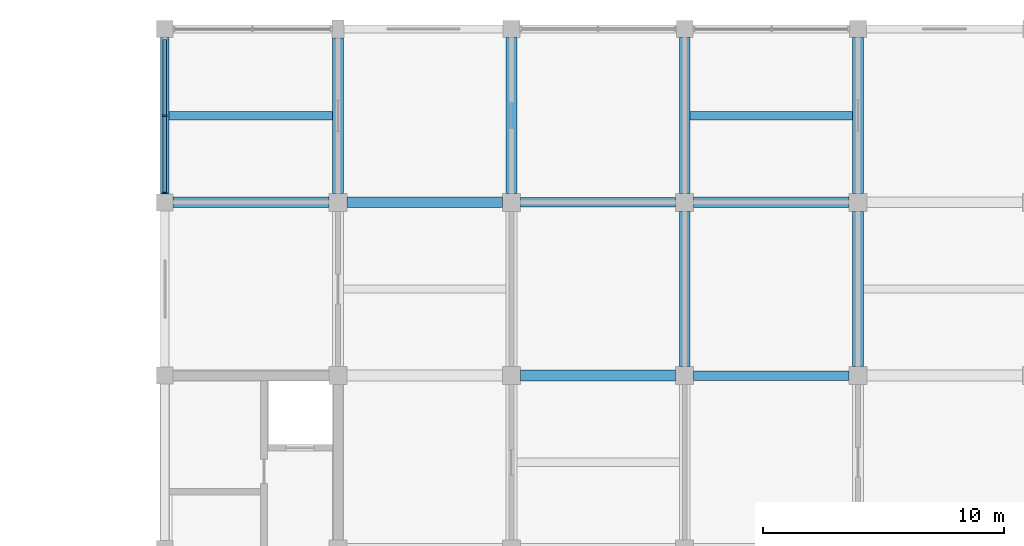
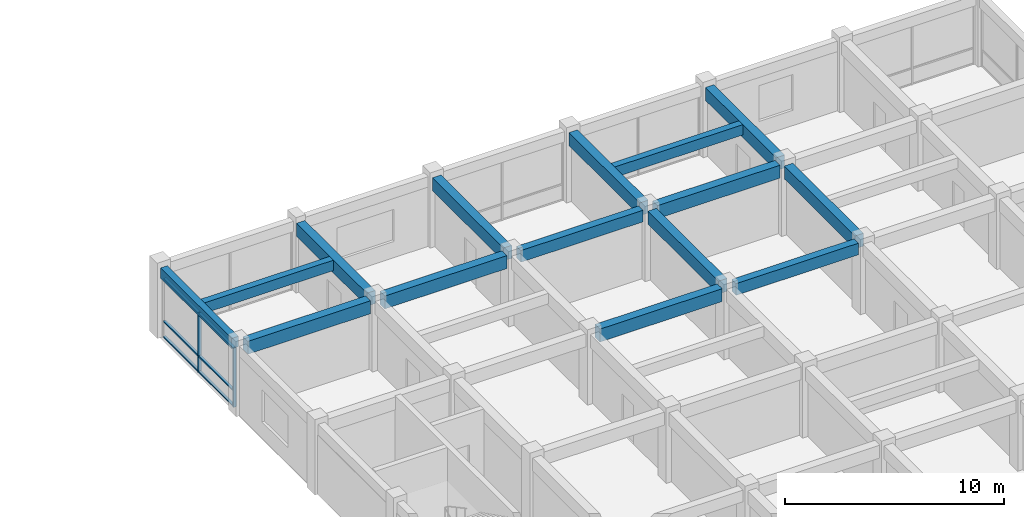
# One storey, part 10 of 31: 15 beams, 8 members, 1 element without a shape of its own.
"""IFC4 building model written with IfcOpenShell, lengths in metres."""

from ifc_helpers import new_model, si_unit, direction, frame, origin, origin_2d, place, context, subcontext, project, spatial, rectangle, extrude, material, layer, layer_set, material_profile, profile_set, type_object, element, aggregate, save


model = new_model("IFC4")

# Units and contexts
model_context = context("Model", 3, precision=1e-05, world=origin(), true_north=direction((0.0, 1.0)))
body_context = subcontext(model_context, "Body", "Model", "MODEL_VIEW")
ifc_project = project(units=[si_unit("LENGTHUNIT", "METRE"), si_unit("AREAUNIT", "SQUARE_METRE"), si_unit("VOLUMEUNIT", "CUBIC_METRE"), si_unit("PLANEANGLEUNIT", "RADIAN"), si_unit("MASSUNIT", "GRAM", prefix="KILO")], contexts=[model_context])

# Site, building, storey
site_placement = place(None, origin())
site = spatial("IfcSite", under=ifc_project, at=site_placement, CompositionType="ELEMENT")
building_placement = place(site_placement, origin())
building = spatial("IfcBuilding", under=site, at=building_placement, Name="Cendaluz Park School", CompositionType="ELEMENT")
storey_placement = place(building_placement, frame((0.0, 0.0, 14.39990234375)))
storey = spatial("IfcBuildingStorey", under=building, at=storey_placement, Name="L03", CompositionType="ELEMENT", Elevation=14.39990234375)

# Beams
ifc_material_1 = material(Name="Concrete C40/50", Category="concrete")
ifc_material_profile_1 = material_profile(ifc_material_1, rectangle(XDim=0.449951171875, YDim=0.719970703125, at=origin_2d()), Name="RC 450x720", Category="concrete")
ifc_profile_set_1 = profile_set([ifc_material_profile_1], Name="Concrete C40/50")
beam_type_1 = type_object("IfcBeamType", Name="BM-RC02", PredefinedType="BEAM", material=ifc_profile_set_1)
beam_1_placement = place(storey_placement, frame((65.14990234375, 64.800048828125, 3.530029296875), z_axis=(1.0, 0.0, 0.0), x_axis=(0.0, 1.0, 0.0)))
element("IfcBeam", 1, at=beam_1_placement, inside=storey, type_object=beam_type_1, Name="BM-L03-BMRC02-0034", PredefinedType="BEAM", context=body_context, shape_type="SweptSolid", body=[
    extrude(rectangle(XDim=0.449951171875, YDim=0.719970703125, at=origin_2d()), origin(), (0.0, 0.0, 1.0), 6.47509765625),
])
for number, where, z_axis, x_axis, name in (
    (2, (72.375, 64.800048828125, 3.530029296875), (1.0, 0.0, 0.0), (0.0, 1.0, 0.0), "BM-L03-BMRC02-0044"),
    (3, (79.574951171875, 57.60009765625, 3.530029296875), (1.0, 0.0, 0.0), (0.0, 1.0, 0.0), "BM-L03-BMRC02-0053"),
):
    element("IfcBeam", number, at=place(storey_placement, frame(where, z_axis=z_axis, x_axis=x_axis)), inside=storey, type_object=beam_type_1, Name=name, PredefinedType="BEAM", context=body_context, shape_type="SweptSolid", body=[
        extrude(rectangle(XDim=0.449951171875, YDim=0.719970703125, at=origin_2d()), origin(), (0.0, 0.0, 1.0), 6.449951171875),
    ])
beam_2_placement = place(storey_placement, frame((86.77490234375, 64.800048828125, 3.530029296875), z_axis=(1.0, 0.0, 0.0), x_axis=(0.0, 1.0, 0.0)))
element("IfcBeam", 4, at=beam_2_placement, inside=storey, type_object=beam_type_1, Name="BM-L03-BMRC02-0064", PredefinedType="BEAM", context=body_context, shape_type="SweptSolid", body=[
    extrude(rectangle(XDim=0.449951171875, YDim=0.719970703125, at=origin_2d()), origin(), (0.0, 0.0, 1.0), 6.4501953125),
])
beam_3_placement = place(storey_placement, frame((72.0, 65.175048828125, 3.530029296875), z_axis=(0.0, 1.0, 0.0), x_axis=(-1.0, 0.0, 0.0)))
element("IfcBeam", 5, at=beam_3_placement, inside=storey, type_object=beam_type_1, Name="BM-L03-BMRC02-0149", PredefinedType="BEAM", context=body_context, shape_type="SweptSolid", body=[
    extrude(rectangle(XDim=0.449951171875, YDim=0.719970703125, at=origin_2d()), origin(), (0.0, 0.0, 1.0), 6.449951171875),
])
beam_4_placement = place(storey_placement, frame((79.199951171875, 65.175048828125, 3.530029296875), z_axis=(0.0, 1.0, 0.0), x_axis=(-1.0, 0.0, 0.0)))
element("IfcBeam", 6, at=beam_4_placement, inside=storey, type_object=beam_type_1, Name="BM-L03-BMRC02-0158", PredefinedType="BEAM", context=body_context, shape_type="SweptSolid", body=[
    extrude(rectangle(XDim=0.449951171875, YDim=0.719970703125, at=origin_2d()), origin(), (0.0, 0.0, 1.0), 6.474853515625),
])
beam_5_placement = place(storey_placement, frame((86.39990234375, 57.97509765625, 3.530029296875), z_axis=(0.0, 1.0, 0.0), x_axis=(-1.0, 0.0, 0.0)))
element("IfcBeam", 7, at=beam_5_placement, inside=storey, type_object=beam_type_1, Name="BM-L03-BMRC02-0166", PredefinedType="BEAM", context=body_context, shape_type="SweptSolid", body=[
    extrude(rectangle(XDim=0.449951171875, YDim=0.719970703125, at=origin_2d()), origin(), (0.0, 0.0, 1.0), 6.449951171875),
])
beam_6_placement = place(storey_placement, frame((86.39990234375, 65.175048828125, 3.530029296875), z_axis=(0.0, 1.0, 0.0), x_axis=(-1.0, 0.0, 0.0)))
element("IfcBeam", 8, at=beam_6_placement, inside=storey, type_object=beam_type_1, Name="BM-L03-BMRC02-0167", PredefinedType="BEAM", context=body_context, shape_type="SweptSolid", body=[
    extrude(rectangle(XDim=0.449951171875, YDim=0.719970703125, at=origin_2d()), origin(), (0.0, 0.0, 1.0), 6.474853515625),
])
beam_7_placement = place(storey_placement, frame((93.60009765625, 57.97509765625, 3.530029296875), z_axis=(0.0, 1.0, 0.0), x_axis=(-1.0, 0.0, 0.0)))
element("IfcBeam", 9, at=beam_7_placement, inside=storey, type_object=beam_type_1, Name="BM-L03-BMRC02-0175", PredefinedType="BEAM", context=body_context, shape_type="SweptSolid", body=[
    extrude(rectangle(XDim=0.449951171875, YDim=0.719970703125, at=origin_2d()), origin(), (0.0, 0.0, 1.0), 6.449951171875),
])
beam_8_placement = place(storey_placement, frame((93.60009765625, 65.175048828125, 3.530029296875), z_axis=(0.0, 1.0, 0.0), x_axis=(-1.0, 0.0, 0.0)))
element("IfcBeam", 10, at=beam_8_placement, inside=storey, type_object=beam_type_1, Name="BM-L03-BMRC02-0176", PredefinedType="BEAM", context=body_context, shape_type="SweptSolid", body=[
    extrude(rectangle(XDim=0.449951171875, YDim=0.719970703125, at=origin_2d()), origin(), (0.0, 0.0, 1.0), 6.474853515625),
])
ifc_material_profile_2 = material_profile(ifc_material_1, rectangle(XDim=0.39990234375, YDim=0.64990234375, at=origin_2d()), Name="RC 400x650", Category="concrete")
ifc_profile_set_2 = profile_set([ifc_material_profile_2], Name="Concrete C40/50")
beam_type_2 = type_object("IfcBeamType", Name="BM-RC03", PredefinedType="T_BEAM", material=ifc_profile_set_2)
beam_9_placement = place(storey_placement, frame((79.574951171875, 64.800048828125, 3.565185546875), z_axis=(1.0, 0.0, 0.0), x_axis=(0.0, 1.0, 0.0)))
element("IfcBeam", 11, at=beam_9_placement, inside=storey, type_object=beam_type_2, Name="BM-L03-BMRC03-0054", PredefinedType="T_BEAM", context=body_context, shape_type="SweptSolid", body=[
    extrude(rectangle(XDim=0.39990234375, YDim=0.64990234375, at=origin_2d()), origin(), (0.0, 0.0, 1.0), 6.449951171875),
])
beam_10_placement = place(storey_placement, frame((86.77490234375, 57.60009765625, 3.565185546875), z_axis=(1.0, 0.0, 0.0), x_axis=(0.0, 1.0, 0.0)))
element("IfcBeam", 12, at=beam_10_placement, inside=storey, type_object=beam_type_2, Name="BM-L03-BMRC03-0063", PredefinedType="T_BEAM", context=body_context, shape_type="SweptSolid", body=[
    extrude(rectangle(XDim=0.39990234375, YDim=0.64990234375, at=origin_2d()), origin(), (0.0, 0.0, 1.0), 6.4501953125),
])
ifc_material_profile_3 = material_profile(ifc_material_1, rectangle(XDim=0.35009765625, YDim=0.580078125, at=origin_2d()), Name="RC 350x580", Category="concrete")
ifc_profile_set_3 = profile_set([ifc_material_profile_3], Name="Concrete C40/50")
beam_type_3 = type_object("IfcBeamType", Name="BM-RC04", PredefinedType="LINTEL", material=ifc_profile_set_3)
beam_11_placement = place(storey_placement, frame((64.800048828125, 65.14990234375, 3.60009765625), z_axis=(0.0, 1.0, 0.0), x_axis=(-1.0, 0.0, 0.0)))
element("IfcBeam", 13, at=beam_11_placement, inside=storey, type_object=beam_type_3, Name="BM-L03-BMRC04-0140", PredefinedType="LINTEL", context=body_context, shape_type="SweptSolid", body=[
    extrude(rectangle(XDim=0.35009765625, YDim=0.580078125, at=origin_2d()), origin(), (0.0, 0.0, 1.0), 6.5),
])

# Curtain wall, members
ifc_material_2 = material(Name="Anodised Aluminium 6063-T6", Category="aluminium")
ifc_layer = layer(ifc_material_2, 0.179931640625)
ifc_layer_set = layer_set([ifc_layer], Name="Anodised Aluminium 6063-T6")
curtain_wall_type = type_object("IfcCurtainWallType", Name="CW-130x66", PredefinedType="NOTDEFINED", material=ifc_layer_set)
curtain_wall_placement = place(storey_placement, origin())
curtain_wall = element("IfcCurtainWall", 14, at=curtain_wall_placement, inside=storey, type_object=curtain_wall_type, Name="CW-L03-143", PredefinedType="NOTDEFINED")
ifc_material_profile_4 = material_profile(ifc_material_2, rectangle(XDim=0.179931640625, YDim=0.070068359375, at=origin_2d()), Name="CWM 180x70", Category="aluminium")
ifc_profile_set_4 = profile_set([ifc_material_profile_4], Name="Anodised Aluminium 6063-T6")
member_type_1 = type_object("IfcMemberType", Name="CWM-01", PredefinedType="MULLION", material=ifc_profile_set_4)
member_1_placement = place(storey_placement, frame((64.800048828125, 65.18505859375, 0.0), z_axis=(0.0, 0.0, 1.0), x_axis=(-1.0, 0.0, 0.0)))
member_1 = element("IfcMember", 15, at=member_1_placement, type_object=member_type_1, Name="CP-L03-1847", PredefinedType="MULLION", context=body_context, shape_type="SweptSolid", body=[
    extrude(rectangle(XDim=0.179931640625, YDim=0.070068359375, at=origin_2d()), origin(), (0.0, 0.0, 1.0), 3.31005859375),
])
member_2_placement = place(storey_placement, frame((64.800048828125, 68.39990234375, 0.0), z_axis=(0.0, 0.0, 1.0), x_axis=(-1.0, 0.0, 0.0)))
member_2 = element("IfcMember", 16, at=member_2_placement, type_object=member_type_1, Name="CP-L03-1848", PredefinedType="MULLION", context=body_context, shape_type="SweptSolid", body=[
    extrude(rectangle(XDim=0.179931640625, YDim=0.070068359375, at=origin_2d()), origin(), (0.0, 0.0, 1.0), 3.31005859375),
])
ifc_material_profile_5 = material_profile(ifc_material_2, rectangle(XDim=0.139892578125, YDim=0.070068359375, at=origin_2d()), Name="CWT 140x70", Category="aluminium")
ifc_profile_set_5 = profile_set([ifc_material_profile_5], Name="Anodised Aluminium 6063-T6")
member_type_2 = type_object("IfcMemberType", Name="CWT-01", PredefinedType="USERDEFINED", material=ifc_profile_set_5)
member_3_placement = place(storey_placement, frame((64.800048828125, 65.219970703125, 0.03515625), z_axis=(0.0, 1.0, 0.0), x_axis=(-1.0, 0.0, 0.0)))
member_3 = element("IfcMember", 17, at=member_3_placement, type_object=member_type_2, Name="CP-L03-1850", ObjectType="TRANSOM", PredefinedType="USERDEFINED", context=body_context, shape_type="SweptSolid", body=[
    extrude(rectangle(XDim=0.139892578125, YDim=0.070068359375, at=origin_2d()), origin(), (0.0, 0.0, 1.0), 3.14501953125),
])
member_4_placement = place(storey_placement, frame((64.800048828125, 65.219970703125, 0.900146484375), z_axis=(0.0, 1.0, 0.0), x_axis=(-1.0, 0.0, 0.0)))
member_4 = element("IfcMember", 18, at=member_4_placement, type_object=member_type_2, Name="CP-L03-1851", ObjectType="TRANSOM", PredefinedType="USERDEFINED", context=body_context, shape_type="SweptSolid", body=[
    extrude(rectangle(XDim=0.139892578125, YDim=0.070068359375, at=origin_2d()), origin(), (0.0, 0.0, 1.0), 3.14501953125),
])
member_5_placement = place(storey_placement, frame((64.800048828125, 65.219970703125, 3.275146484375), z_axis=(0.0, 1.0, 0.0), x_axis=(-1.0, 0.0, 0.0)))
member_5 = element("IfcMember", 19, at=member_5_placement, type_object=member_type_2, Name="CP-L03-1852", ObjectType="TRANSOM", PredefinedType="USERDEFINED", context=body_context, shape_type="SweptSolid", body=[
    extrude(rectangle(XDim=0.139892578125, YDim=0.070068359375, at=origin_2d()), origin(), (0.0, 0.0, 1.0), 3.14501953125),
])
member_6_placement = place(storey_placement, frame((64.800048828125, 68.43505859375, 0.03515625), z_axis=(0.0, 1.0, 0.0), x_axis=(-1.0, 0.0, 0.0)))
member_6 = element("IfcMember", 20, at=member_6_placement, type_object=member_type_2, Name="CP-L03-1855", ObjectType="TRANSOM", PredefinedType="USERDEFINED", context=body_context, shape_type="SweptSolid", body=[
    extrude(rectangle(XDim=0.139892578125, YDim=0.070068359375, at=origin_2d()), origin(), (0.0, 0.0, 1.0), 3.14501953125),
])
member_7_placement = place(storey_placement, frame((64.800048828125, 68.43505859375, 0.900146484375), z_axis=(0.0, 1.0, 0.0), x_axis=(-1.0, 0.0, 0.0)))
member_7 = element("IfcMember", 21, at=member_7_placement, type_object=member_type_2, Name="CP-L03-1856", ObjectType="TRANSOM", PredefinedType="USERDEFINED", context=body_context, shape_type="SweptSolid", body=[
    extrude(rectangle(XDim=0.139892578125, YDim=0.070068359375, at=origin_2d()), origin(), (0.0, 0.0, 1.0), 3.14501953125),
])
member_8_placement = place(storey_placement, frame((64.800048828125, 68.43505859375, 3.275146484375), z_axis=(0.0, 1.0, 0.0), x_axis=(-1.0, 0.0, 0.0)))
member_8 = element("IfcMember", 22, at=member_8_placement, type_object=member_type_2, Name="CP-L03-1857", ObjectType="TRANSOM", PredefinedType="USERDEFINED", context=body_context, shape_type="SweptSolid", body=[
    extrude(rectangle(XDim=0.139892578125, YDim=0.070068359375, at=origin_2d()), origin(), (0.0, 0.0, 1.0), 3.14501953125),
])
aggregate(curtain_wall, [member_1, member_2, member_3, member_4, member_5, member_6, member_7, member_8])

# Beams
ifc_material_profile_6 = material_profile(ifc_material_1, rectangle(XDim=0.35009765625, YDim=0.580078125, at=origin_2d()), Name="RC 350x580", Category="concrete")
ifc_profile_set_6 = profile_set([ifc_material_profile_6], Name="Concrete C40/50")
beam_type_4 = type_object("IfcBeamType", Name="JT-RC01", PredefinedType="JOIST", material=ifc_profile_set_6)
beam_12_placement = place(storey_placement, frame((64.97509765625, 68.39990234375, 3.60009765625), z_axis=(1.0, 0.0, 0.0), x_axis=(0.0, 1.0, 0.0)))
element("IfcBeam", 23, at=beam_12_placement, inside=storey, type_object=beam_type_4, Name="BM-L03-JTRC01-0223", PredefinedType="JOIST", context=body_context, shape_type="SweptSolid", body=[
    extrude(rectangle(XDim=0.35009765625, YDim=0.580078125, at=origin_2d()), origin(), (0.0, 0.0, 1.0), 6.7998046875),
])
beam_13_placement = place(storey_placement, frame((86.625, 68.39990234375, 3.60009765625), z_axis=(1.0, 0.0, 0.0), x_axis=(0.0, 1.0, 0.0)))
element("IfcBeam", 24, at=beam_13_placement, inside=storey, type_object=beam_type_4, Name="BM-L03-JTRC01-0232", PredefinedType="JOIST", context=body_context, shape_type="SweptSolid", body=[
    extrude(rectangle(XDim=0.35009765625, YDim=0.580078125, at=origin_2d()), origin(), (0.0, 0.0, 1.0), 6.75),
])

save(model, "model.ifc")
